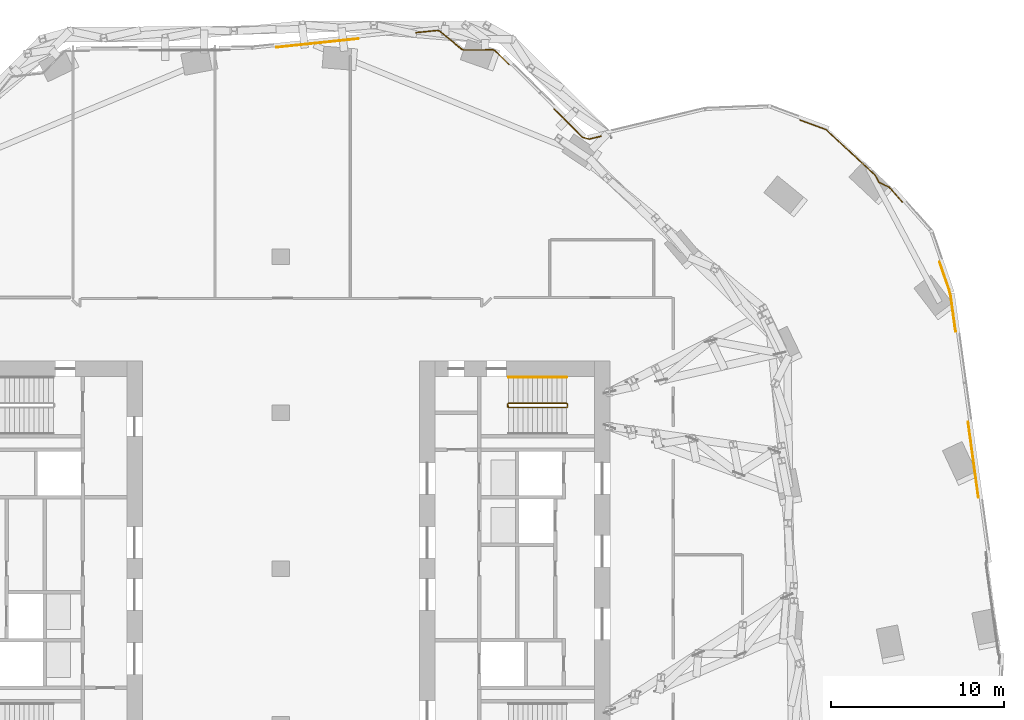
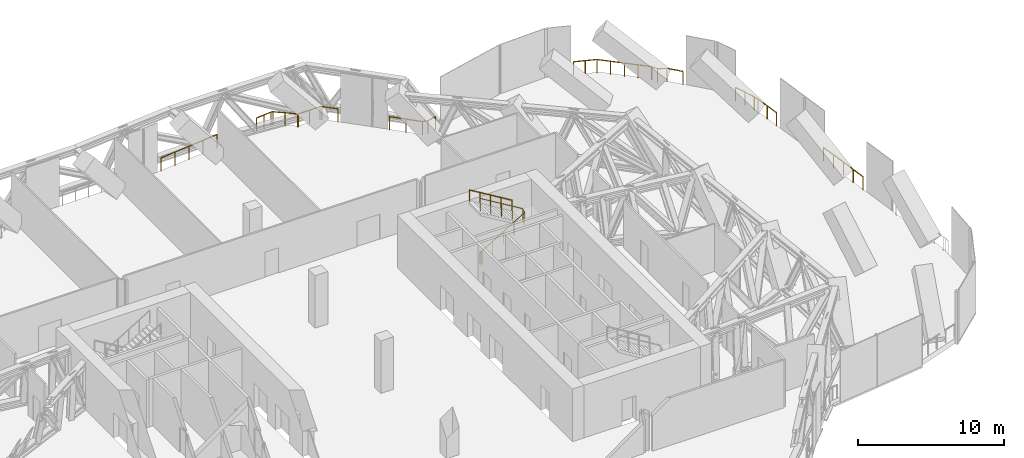
# One storey, part 26 of 27: 10 railings.
"""IFC4 building model written with IfcOpenShell, lengths in metres."""

import ifcopenshell
import ifcopenshell.guid

model = None  # the IFC model being written
_history = None  # IfcOwnerHistory: only IFC2X3 demands one
_inside = {}  # id of a spatial element -> (the spatial element, [elements in it])
_under = {}  # id of a project, library or spatial element -> (it, [spatial elements below it])
_declared = {}  # id of a project -> (the project, [libraries it declares])
_typed = {}  # id of a type object -> (the type object, [elements of that type])
_made_of = {}  # id of a material, layer set ... -> (it, [elements and type objects made of it])


def new_model(schema):
    """Start an empty IFC model of exactly this schema.

    Asked for "IFC4X3", IfcOpenShell would pick the latest addendum, in which some entities
    have other attributes; the version numbers below select the first issue.
    IFC2X3 requires an IfcOwnerHistory on every rooted entity: one is made here for all.
    """
    global model, _history
    if schema == "IFC4X3":
        model = ifcopenshell.file(schema_version=(4, 3, 0, 0))
    else:
        model = ifcopenshell.file(schema=schema)
    _inside.clear()
    _under.clear()
    _declared.clear()
    _typed.clear()
    _made_of.clear()
    _history = None
    if model.schema == "IFC2X3":
        org = make("IfcOrganization", Name="unknown")
        user = make(
            "IfcPersonAndOrganization",
            ThePerson=make("IfcPerson", FamilyName="unknown"),
            TheOrganization=org,
        )
        app = make(
            "IfcApplication",
            ApplicationDeveloper=org,
            Version="unknown",
            ApplicationFullName="unknown",
            ApplicationIdentifier="unknown",
        )
        _history = make(
            "IfcOwnerHistory",
            OwningUser=user,
            OwningApplication=app,
            ChangeAction="ADDED",
            CreationDate=0,
        )
    return model


def make(cls, **values):
    """One entity of the class cls with the attributes given. An attribute that is None is left unset."""
    return model.create_entity(
        cls, **{name: value for name, value in values.items() if value is not None}
    )


def rooted(cls, **values):
    """An entity with a GlobalId (a new one), such as an element, a storey or a relation."""
    return make(cls, GlobalId=ifcopenshell.guid.new(), OwnerHistory=_history, **values)


def si_unit(unit_type, name, prefix=None):
    """IfcSIUnit, for example si_unit("LENGTHUNIT", "METRE", prefix="MILLI")."""
    return make("IfcSIUnit", UnitType=unit_type, Prefix=prefix, Name=name)


def assignment(units):
    """IfcUnitAssignment: the units of a project."""
    return None if units is None else make("IfcUnitAssignment", Units=units)


def point(xyz):
    """IfcCartesianPoint."""
    return None if xyz is None else make("IfcCartesianPoint", Coordinates=xyz)


def direction(xyz):
    """IfcDirection."""
    return None if xyz is None else make("IfcDirection", DirectionRatios=xyz)


def frame(location, z_axis=None, x_axis=None):
    """IfcAxis2Placement3D, a coordinate frame: its origin and axes. An axis left out is left unset."""
    return make(
        "IfcAxis2Placement3D",
        Location=point(location),
        Axis=direction(z_axis),
        RefDirection=direction(x_axis),
    )


def frame_2d(location, x_axis=None):
    """IfcAxis2Placement2D, a coordinate frame in the plane: its origin and x axis."""
    return make(
        "IfcAxis2Placement2D", Location=point(location), RefDirection=direction(x_axis)
    )


def origin():
    """The frame at (0, 0, 0) with its axes left unset."""
    return frame((0.0, 0.0, 0.0))


def origin_2d():
    """The frame at (0, 0) in the plane with its x axis left unset."""
    return frame_2d((0.0, 0.0))


def place(relative_to, where):
    """IfcLocalPlacement: puts the frame where relative to a parent placement (None: the world)."""
    return make(
        "IfcLocalPlacement", PlacementRelTo=relative_to, RelativePlacement=where
    )


def context(
    kind, dimensions, precision=None, world=None, true_north=None, identifier=None
):
    """IfcGeometricRepresentationContext, for example the 3D "Model" context."""
    return make(
        "IfcGeometricRepresentationContext",
        ContextIdentifier=identifier,
        ContextType=kind,
        CoordinateSpaceDimension=dimensions,
        Precision=precision,
        WorldCoordinateSystem=world,
        TrueNorth=true_north,
    )


def subcontext(parent, identifier, kind, view, scale=None):
    """IfcGeometricRepresentationSubContext, for example "Body" below "Model"."""
    return make(
        "IfcGeometricRepresentationSubContext",
        ContextIdentifier=identifier,
        ContextType=kind,
        ParentContext=parent,
        TargetScale=scale,
        TargetView=view,
    )


def project(units=None, contexts=None):
    """IfcProject with its units and contexts."""
    return rooted(
        "IfcProject",
        Name="project",
        RepresentationContexts=contexts,
        UnitsInContext=assignment(units),
    )


def spatial(cls, under=None, at=None, **own):
    """A site, building, storey or space (cls), placed at a placement, below another one or the project."""
    s = rooted(cls, ObjectPlacement=at, **own)
    if under is not None:
        _under.setdefault(under.id(), (under, []))[1].append(s)
    return s


def profile(cls, at=None, kind="AREA", **sizes):
    """A parametric profile (cls). Its sizes go by their IFC names, for example OverallWidth=200.0."""
    return make(cls, ProfileType=kind, Position=at, **sizes)


def circle(**sizes):
    """IfcCircleProfileDef."""
    return profile("IfcCircleProfileDef", **sizes)


def extrude(swept, where, along, depth):
    """IfcExtrudedAreaSolid: the profile swept, set in the frame where, extruded along a direction by depth."""
    return make(
        "IfcExtrudedAreaSolid",
        SweptArea=swept,
        Position=where,
        ExtrudedDirection=direction(along),
        Depth=depth,
    )


def shape(context_of_items, identifier, shape_type, items):
    """IfcShapeRepresentation: the items that make up one representation, for example the "Body"."""
    return make(
        "IfcShapeRepresentation",
        ContextOfItems=context_of_items,
        RepresentationIdentifier=identifier,
        RepresentationType=shape_type,
        Items=items,
    )


def material(Name=None, Category=None):
    """IfcMaterial."""
    return make("IfcMaterial", Name=Name, Category=Category)


def made_of(thing, what):
    """Note that an element or type object is made of a material, layer set ...; save() writes the relation."""
    if what is not None:
        _made_of.setdefault(what.id(), (what, []))[1].append(thing)
    return thing


def type_object(cls, material=None, **own):
    """A type object (cls), such as IfcWallType, which elements share."""
    return made_of(rooted(cls, **own), material)


def element(
    cls,
    number,
    at=None,
    inside=None,
    cuts=None,
    type_object=None,
    material=None,
    context=None,
    identifier="Body",
    shape_type=None,
    held_by="IfcProductDefinitionShape",
    body=None,
    shapes=None,
    **own,
):
    """One element of the class cls, such as IfcWall. Its Tag is "e" and its number.

    at: its placement. inside: the storey or other place that contains it. cuts: it is an
    opening in that element (IfcRelVoidsElement). A single representation is given by context,
    identifier, shape_type and body (its items); several are given by shapes. held_by: the class
    of the entity that holds the representations. save() writes the other relations.
    """
    e = rooted(cls, Tag="e%d" % number, ObjectPlacement=at, **own)
    if body is not None:
        shapes = [shape(context, identifier, shape_type, body)]
    if shapes is not None:
        e.Representation = make(held_by, Representations=shapes)
    if inside is not None:
        _inside.setdefault(inside.id(), (inside, []))[1].append(e)
    if cuts is not None:
        rooted(
            "IfcRelVoidsElement", RelatingBuildingElement=cuts, RelatedOpeningElement=e
        )
    if type_object is not None:
        _typed.setdefault(type_object.id(), (type_object, []))[1].append(e)
    return made_of(e, material)


def aggregate(whole, parts):
    """IfcRelAggregates: a whole, such as a stair, and the parts it consists of."""
    return rooted("IfcRelAggregates", RelatingObject=whole, RelatedObjects=parts)


def save(model, path):
    """Write the relations noted so far, then the file.

    IfcRelAggregates (storeys below a building ...), IfcRelContainedInSpatialStructure (elements
    in a storey), IfcRelDefinesByType, IfcRelAssociatesMaterial and IfcRelDeclares: one each for
    every whole, place, type object, material and project.
    """
    for whole, parts in _under.values():
        aggregate(whole, parts)
    for where, things in _inside.values():
        rooted(
            "IfcRelContainedInSpatialStructure",
            RelatedElements=things,
            RelatingStructure=where,
        )
    for kind, things in _typed.values():
        rooted("IfcRelDefinesByType", RelatedObjects=things, RelatingType=kind)
    for what, things in _made_of.values():
        rooted("IfcRelAssociatesMaterial", RelatedObjects=things, RelatingMaterial=what)
    for by, libraries in _declared.values():
        rooted("IfcRelDeclares", RelatingContext=by, RelatedDefinitions=libraries)
    model.write(path)


model = new_model("IFC4")

# Units and contexts
model_context = context("Model", 3, precision=1e-05, world=origin(), true_north=direction((0.0, 1.0)))
body_context = subcontext(model_context, "Body", "Model", "MODEL_VIEW")
ifc_project = project(units=[si_unit("LENGTHUNIT", "METRE"), si_unit("AREAUNIT", "SQUARE_METRE"), si_unit("VOLUMEUNIT", "CUBIC_METRE"), si_unit("PLANEANGLEUNIT", "RADIAN"), si_unit("MASSUNIT", "GRAM", prefix="KILO")], contexts=[model_context])

# Site, building, storey
site_placement = place(None, origin())
site = spatial("IfcSite", under=ifc_project, at=site_placement, CompositionType="ELEMENT")
building_placement = place(site_placement, origin())
building = spatial("IfcBuilding", under=site, at=building_placement, Name="Orlundy Tower", CompositionType="ELEMENT")
storey_placement = place(building_placement, frame((0.0, 0.0, 206.10009765625)))
storey = spatial("IfcBuildingStorey", under=building, at=storey_placement, Name="L54", CompositionType="ELEMENT", Elevation=206.10009765625)

# Railings
ifc_material_1 = material(Name="Steel balustrade", Category="steel")
railing_type_1 = type_object("IfcRailingType", Name="Stair Guard 1100", PredefinedType="GUARDRAIL", material=ifc_material_1)
railing_1_placement = place(storey_placement, frame((13.090087890625, 9.35009765625, 0.0)))
element("IfcRailing", 1, at=railing_1_placement, inside=storey, type_object=railing_type_1, Name="L54 ST-E2 stair guard 1", PredefinedType="GUARDRAIL", context=body_context, shape_type="SweptSolid", body=[
    extrude(circle(Radius=0.02392578125, at=origin_2d()), frame((0.0, 0.0, 1.076171875), z_axis=(0.0, 1.0, 0.0), x_axis=(-1.0, 0.0, 0.0)), (0.0, 0.0, 1.0), 0.14990234375),
    extrude(circle(Radius=0.02392578125, at=origin_2d()), frame((0.0, 0.14990234375, 1.076171875), z_axis=(0.186800498525, -0.749949060256, 0.634572281755), x_axis=(0.970351222016, 0.241699205484, 0.0)), (0.0, 0.0, 1.0), 0.2666015625),
    extrude(circle(Radius=0.02392578125, at=origin_2d()), frame((0.0498046875, -0.050048828125, 1.2451171875), z_axis=(0.855836976705, 0.0, 0.517245656632), x_axis=(0.0, 1.0, 0.0)), (0.0, 0.0, 1.0), 3.926025390625),
    extrude(circle(Radius=0.02392578125, at=origin_2d()), frame((3.409912109375, -0.050048828125, 3.27587890625), z_axis=(0.707106781187, 0.707106781187, 0.0), x_axis=(-0.707106781187, 0.707106781187, 0.0)), (0.0, 0.0, 1.0), 0.07080078125),
    extrude(circle(Radius=0.02392578125, at=origin_2d()), frame((3.4599609375, 0.0, 3.27587890625), z_axis=(0.0, 1.0, 0.0), x_axis=(-1.0, 0.0, 0.0)), (0.0, 0.0, 1.0), 0.14990234375),
    extrude(circle(Radius=0.02392578125, at=origin_2d()), frame((3.4599609375, 0.14990234375, 3.27587890625), z_axis=(-0.272897288611, 0.272897288611, 0.922525956132), x_axis=(-0.707106781187, -0.707106781187, 0.0)), (0.0, 0.0, 1.0), 0.183349609375),
    extrude(circle(Radius=0.02392578125, at=origin_2d()), frame((3.409912109375, 0.199951171875, 3.4453125), z_axis=(-0.855836976705, 0.0, 0.517245656632), x_axis=(0.0, -1.0, 0.0)), (0.0, 0.0, 1.0), 3.926025390625),
    extrude(circle(Radius=0.02099609375, at=origin_2d()), origin(), (0.0, 0.0, 1.0), 1.052001953125),
    extrude(circle(Radius=0.02099609375, at=origin_2d()), frame((0.0, 0.14990234375, 0.0)), (0.0, 0.0, 1.0), 1.052001953125),
    extrude(circle(Radius=0.02099609375, at=origin_2d()), frame((0.0498046875, -0.050048828125, 0.169189453125)), (0.0, 0.0, 1.0), 1.052001953125),
    extrude(circle(Radius=0.02099609375, at=origin_2d()), frame((0.889892578125, -0.050048828125, 0.6767578125)), (0.0, 0.0, 1.0), 1.052001953125),
    extrude(circle(Radius=0.02099609375, at=origin_2d()), frame((1.72998046875, -0.050048828125, 1.1845703125)), (0.0, 0.0, 1.0), 1.052001953125),
    extrude(circle(Radius=0.02099609375, at=origin_2d()), frame((2.56982421875, -0.050048828125, 1.6923828125)), (0.0, 0.0, 1.0), 1.052001953125),
    extrude(circle(Radius=0.02099609375, at=origin_2d()), frame((3.409912109375, -0.050048828125, 2.199951171875)), (0.0, 0.0, 1.0), 1.052001953125),
    extrude(circle(Radius=0.02099609375, at=origin_2d()), frame((3.4599609375, 0.0, 2.199951171875)), (0.0, 0.0, 1.0), 1.052001953125),
    extrude(circle(Radius=0.02099609375, at=origin_2d()), frame((3.4599609375, 0.14990234375, 2.199951171875)), (0.0, 0.0, 1.0), 1.052001953125),
    extrude(circle(Radius=0.02099609375, at=origin_2d()), frame((3.409912109375, 0.199951171875, 2.369140625)), (0.0, 0.0, 1.0), 1.052001953125),
    extrude(circle(Radius=0.02099609375, at=origin_2d()), frame((2.56982421875, 0.199951171875, 2.876953125)), (0.0, 0.0, 1.0), 1.052001953125),
    extrude(circle(Radius=0.02099609375, at=origin_2d()), frame((1.72998046875, 0.199951171875, 3.384521484375)), (0.0, 0.0, 1.0), 1.052001953125),
    extrude(circle(Radius=0.02099609375, at=origin_2d()), frame((0.889892578125, 0.199951171875, 3.89208984375)), (0.0, 0.0, 1.0), 1.052001953125),
    extrude(circle(Radius=0.02099609375, at=origin_2d()), frame((0.0498046875, 0.199951171875, 4.39990234375)), (0.0, 0.0, 1.0), 1.052001953125),
])
ifc_material_2 = material(Name="Steel handrail", Category="steel")
railing_type_2 = type_object("IfcRailingType", Name="Stair Handrail 900", PredefinedType="HANDRAIL", material=ifc_material_2)
railing_2_placement = place(storey_placement, frame((16.5, 11.050048828125, 2.369140625)))
element("IfcRailing", 2, at=railing_2_placement, inside=storey, type_object=railing_type_2, Name="L54 ST-E2 stair handrail 2", PredefinedType="HANDRAIL", context=body_context, shape_type="SweptSolid", body=[
    extrude(circle(Radius=0.02392578125, at=origin_2d()), frame((0.0, 0.0, 0.8759765625), z_axis=(-0.855836976705, 0.0, 0.517245656632), x_axis=(0.0, -1.0, 0.0)), (0.0, 0.0, 1.0), 3.926025390625),
    extrude(circle(Radius=0.02099609375, at=origin_2d()), origin(), (0.0, 0.0, 1.0), 0.851806640625),
    extrude(circle(Radius=0.02099609375, at=origin_2d()), frame((-0.840087890625, 0.0, 0.5078125)), (0.0, 0.0, 1.0), 0.851806640625),
    extrude(circle(Radius=0.02099609375, at=origin_2d()), frame((-1.68017578125, 0.0, 1.015380859375)), (0.0, 0.0, 1.0), 0.851806640625),
    extrude(circle(Radius=0.02099609375, at=origin_2d()), frame((-2.52001953125, 0.0, 1.52294921875)), (0.0, 0.0, 1.0), 0.851806640625),
    extrude(circle(Radius=0.02099609375, at=origin_2d()), frame((-3.360107421875, 0.0, 2.03076171875)), (0.0, 0.0, 1.0), 0.851806640625),
])
ifc_material_3 = material(Name="Stainless steel bronze finish", Category="steel")
railing_type_3 = type_object("IfcRailingType", Name="TG1 terrace guard", PredefinedType="GUARDRAIL", material=ifc_material_3)
railing_3_placement = place(storey_placement, frame((7.794921875, 30.94482421875, 0.0)))
element("IfcRailing", 3, at=railing_3_placement, inside=storey, type_object=railing_type_3, Name="Guard TG-L54-E06", PredefinedType="GUARDRAIL", context=body_context, shape_type="SweptSolid", body=[
    extrude(circle(Radius=0.02490234375, at=origin_2d()), frame((0.0, 0.0, 1.09521484375), z_axis=(0.994533485115, 0.104418135323, 0.0), x_axis=(-0.104418135323, 0.994533485115, 0.0)), (0.0, 0.0, 1.0), 1.2392578125),
    extrude(circle(Radius=0.02490234375, at=origin_2d()), frame((1.232421875, 0.12939453125, 1.09521484375), z_axis=(0.964809431391, -0.262950111424, 0.0), x_axis=(0.262950111424, 0.964809431391, 0.0)), (0.0, 0.0, 1.0), 0.12353515625),
    extrude(circle(Radius=0.02490234375, at=origin_2d()), frame((1.3515625, 0.096923828125, 1.09521484375), z_axis=(0.777124807293, -0.629346513369, 0.0), x_axis=(0.629346513369, 0.777124807293, 0.0)), (0.0, 0.0, 1.0), 1.704833984375),
    extrude(circle(Radius=0.02490234375, at=origin_2d()), frame((2.676513671875, -0.97607421875, 1.09521484375), z_axis=(0.943101890251, -0.332503871563, 0.0), x_axis=(0.332503871563, 0.943101890251, 0.0)), (0.0, 0.0, 1.0), 0.080810546875),
    extrude(circle(Radius=0.02490234375, at=origin_2d()), frame((2.752685546875, -1.0029296875, 1.09521484375), z_axis=(0.9999827687, 0.005870460126, 0.0), x_axis=(-0.005870460126, 0.9999827687, 0.0)), (0.0, 0.0, 1.0), 1.705078125),
    extrude(circle(Radius=0.02490234375, at=origin_2d()), frame((4.457763671875, -0.992919921875, 1.09521484375), z_axis=(0.918633337359, -0.395111112843, 0.0), x_axis=(0.395111112843, 0.918633337359, 0.0)), (0.0, 0.0, 1.0), 0.12353515625),
    extrude(circle(Radius=0.02490234375, at=origin_2d()), frame((4.5712890625, -1.041748046875, 1.09521484375), z_axis=(0.711107441757, -0.703083356565, 0.0), x_axis=(0.703083356565, 0.711107441757, 0.0)), (0.0, 0.0, 1.0), 1.125732421875),
    extrude(circle(Radius=0.02001953125, at=origin_2d()), origin(), (0.0, 0.0, 1.0), 1.070068359375),
    extrude(circle(Radius=0.02001953125, at=origin_2d()), frame((0.6162109375, 0.064697265625, 0.0)), (0.0, 0.0, 1.0), 1.070068359375),
    extrude(circle(Radius=0.02001953125, at=origin_2d()), frame((1.232421875, 0.12939453125, 0.0)), (0.0, 0.0, 1.0), 1.070068359375),
    extrude(circle(Radius=0.02001953125, at=origin_2d()), frame((1.3515625, 0.096923828125, 0.0)), (0.0, 0.0, 1.0), 1.070068359375),
    extrude(circle(Radius=0.02001953125, at=origin_2d()), frame((2.01416015625, -0.439453125, 0.0)), (0.0, 0.0, 1.0), 1.070068359375),
    extrude(circle(Radius=0.02001953125, at=origin_2d()), frame((2.676513671875, -0.97607421875, 0.0)), (0.0, 0.0, 1.0), 1.070068359375),
    extrude(circle(Radius=0.02001953125, at=origin_2d()), frame((2.752685546875, -1.0029296875, 0.0)), (0.0, 0.0, 1.0), 1.070068359375),
    extrude(circle(Radius=0.02001953125, at=origin_2d()), frame((3.605224609375, -0.998046875, 0.0)), (0.0, 0.0, 1.0), 1.070068359375),
    extrude(circle(Radius=0.02001953125, at=origin_2d()), frame((4.457763671875, -0.992919921875, 0.0)), (0.0, 0.0, 1.0), 1.070068359375),
    extrude(circle(Radius=0.02001953125, at=origin_2d()), frame((4.5712890625, -1.041748046875, 0.0)), (0.0, 0.0, 1.0), 1.070068359375),
    extrude(circle(Radius=0.02001953125, at=origin_2d()), frame((5.371826171875, -1.833251953125, 0.0)), (0.0, 0.0, 1.0), 1.070068359375),
])
railing_4_placement = place(storey_placement, frame((29.9638671875, 25.90478515625, 0.0)))
element("IfcRailing", 4, at=railing_4_placement, inside=storey, type_object=railing_type_3, Name="Guard TG-L54-E09", PredefinedType="GUARDRAIL", context=body_context, shape_type="SweptSolid", body=[
    extrude(circle(Radius=0.02490234375, at=origin_2d()), frame((0.0, 0.0, 1.09521484375), z_axis=(0.938224597164, -0.346026885192, 0.0), x_axis=(0.346026885192, 0.938224597164, 0.0)), (0.0, 0.0, 1.0), 1.61865234375),
    extrude(circle(Radius=0.02490234375, at=origin_2d()), frame((1.5185546875, -0.56005859375, 1.09521484375), z_axis=(0.733192892354, -0.680020722185, 0.0), x_axis=(0.680020722185, 0.733192892354, 0.0)), (0.0, 0.0, 1.0), 3.852294921875),
    extrude(circle(Radius=0.02001953125, at=origin_2d()), origin(), (0.0, 0.0, 1.0), 1.070068359375),
    extrude(circle(Radius=0.02001953125, at=origin_2d()), frame((0.75927734375, -0.280029296875, 0.0)), (0.0, 0.0, 1.0), 1.070068359375),
    extrude(circle(Radius=0.02001953125, at=origin_2d()), frame((1.5185546875, -0.56005859375, 0.0)), (0.0, 0.0, 1.0), 1.070068359375),
    extrude(circle(Radius=0.02001953125, at=origin_2d()), frame((2.224609375, -1.21484375, 0.0)), (0.0, 0.0, 1.0), 1.070068359375),
    extrude(circle(Radius=0.02001953125, at=origin_2d()), frame((2.9306640625, -1.869873046875, 0.0)), (0.0, 0.0, 1.0), 1.070068359375),
    extrude(circle(Radius=0.02001953125, at=origin_2d()), frame((3.636962890625, -2.52490234375, 0.0)), (0.0, 0.0, 1.0), 1.070068359375),
    extrude(circle(Radius=0.02001953125, at=origin_2d()), frame((4.343017578125, -3.1796875, 0.0)), (0.0, 0.0, 1.0), 1.070068359375),
])
railing_5_placement = place(storey_placement, frame((-0.260986328125, 30.09814453125, 0.0)))
element("IfcRailing", 5, at=railing_5_placement, inside=storey, type_object=railing_type_3, Name="Guard TG-L54-E014", PredefinedType="GUARDRAIL", context=body_context, shape_type="SweptSolid", body=[
    extrude(circle(Radius=0.02490234375, at=origin_2d()), frame((0.0, 0.0, 1.09521484375), z_axis=(0.994521757355, 0.104529776365, 0.0), x_axis=(-0.104529776365, 0.994521757355, 0.0)), (0.0, 0.0, 1.0), 4.75537109375),
    extrude(circle(Radius=0.02001953125, at=origin_2d()), origin(), (0.0, 0.0, 1.0), 1.070068359375),
    extrude(circle(Radius=0.02001953125, at=origin_2d()), frame((1.182373046875, 0.124267578125, 0.0)), (0.0, 0.0, 1.0), 1.070068359375),
    extrude(circle(Radius=0.02001953125, at=origin_2d()), frame((2.36474609375, 0.24853515625, 0.0)), (0.0, 0.0, 1.0), 1.070068359375),
    extrude(circle(Radius=0.02001953125, at=origin_2d()), frame((3.546875, 0.372802734375, 0.0)), (0.0, 0.0, 1.0), 1.070068359375),
    extrude(circle(Radius=0.02001953125, at=origin_2d()), frame((4.729248046875, 0.4970703125, 0.0)), (0.0, 0.0, 1.0), 1.070068359375),
])
railing_6_placement = place(storey_placement, frame((39.67578125, 8.469970703125, 0.0)))
element("IfcRailing", 6, at=railing_6_placement, inside=storey, type_object=railing_type_3, Name="Guard TG-L54-E017", PredefinedType="GUARDRAIL", context=body_context, shape_type="SweptSolid", body=[
    extrude(circle(Radius=0.02490234375, at=origin_2d()), frame((0.0, 0.0, 1.09521484375), z_axis=(0.136296443485, -0.990668097545, 0.0), x_axis=(0.990668097545, 0.136296443485, 0.0)), (0.0, 0.0, 1.0), 4.41015625),
    extrude(circle(Radius=0.02001953125, at=origin_2d()), origin(), (0.0, 0.0, 1.0), 1.070068359375),
    extrude(circle(Radius=0.02001953125, at=origin_2d()), frame((0.150390625, -1.09228515625, 0.0)), (0.0, 0.0, 1.0), 1.070068359375),
    extrude(circle(Radius=0.02001953125, at=origin_2d()), frame((0.300537109375, -2.1845703125, 0.0)), (0.0, 0.0, 1.0), 1.070068359375),
    extrude(circle(Radius=0.02001953125, at=origin_2d()), frame((0.45068359375, -3.276611328125, 0.0)), (0.0, 0.0, 1.0), 1.070068359375),
    extrude(circle(Radius=0.02001953125, at=origin_2d()), frame((0.60107421875, -4.368896484375, 0.0)), (0.0, 0.0, 1.0), 1.070068359375),
])
railing_7_placement = place(storey_placement, frame((38.031494140625, 17.705810546875, 0.0)))
element("IfcRailing", 7, at=railing_7_placement, inside=storey, type_object=railing_type_3, Name="Guard TG-L54-E018", PredefinedType="GUARDRAIL", context=body_context, shape_type="SweptSolid", body=[
    extrude(circle(Radius=0.02490234375, at=origin_2d()), frame((0.0, 0.0, 1.09521484375), z_axis=(0.327011996174, -0.945020187276, 0.0), x_axis=(0.945020187276, 0.327011996174, 0.0)), (0.0, 0.0, 1.0), 1.701416015625),
    extrude(circle(Radius=0.02490234375, at=origin_2d()), frame((0.556396484375, -1.60791015625, 1.09521484375), z_axis=(0.232804846558, -0.972523471912, 0.0), x_axis=(0.972523471912, 0.232804846558, 0.0)), (0.0, 0.0, 1.0), 0.39013671875),
    extrude(circle(Radius=0.02490234375, at=origin_2d()), frame((0.647216796875, -1.9873046875, 1.09521484375), z_axis=(0.136256531656, -0.990673587808, 0.0), x_axis=(0.990673587808, 0.136256531656, 0.0)), (0.0, 0.0, 1.0), 2.0390625),
    extrude(circle(Radius=0.02001953125, at=origin_2d()), origin(), (0.0, 0.0, 1.0), 1.070068359375),
    extrude(circle(Radius=0.02001953125, at=origin_2d()), frame((0.2783203125, -0.803955078125, 0.0)), (0.0, 0.0, 1.0), 1.070068359375),
    extrude(circle(Radius=0.02001953125, at=origin_2d()), frame((0.556396484375, -1.60791015625, 0.0)), (0.0, 0.0, 1.0), 1.070068359375),
    extrude(circle(Radius=0.02001953125, at=origin_2d()), frame((0.647216796875, -1.9873046875, 0.0)), (0.0, 0.0, 1.0), 1.070068359375),
    extrude(circle(Radius=0.02001953125, at=origin_2d()), frame((0.7861328125, -2.997314453125, 0.0)), (0.0, 0.0, 1.0), 1.070068359375),
    extrude(circle(Radius=0.02001953125, at=origin_2d()), frame((0.925048828125, -4.00732421875, 0.0)), (0.0, 0.0, 1.0), 1.070068359375),
])
railing_8_placement = place(storey_placement, frame((15.761962890625, 26.54638671875, 0.0)))
element("IfcRailing", 8, at=railing_8_placement, inside=storey, type_object=railing_type_3, Name="Guard TG-L54-E023", PredefinedType="GUARDRAIL", context=body_context, shape_type="SweptSolid", body=[
    extrude(circle(Radius=0.02490234375, at=origin_2d()), frame((0.0, 0.0, 1.09521484375), z_axis=(0.71122245696, -0.702967009693, 0.0), x_axis=(0.702967009693, 0.71122245696, 0.0)), (0.0, 0.0, 1.0), 2.336181640625),
    extrude(circle(Radius=0.02490234375, at=origin_2d()), frame((1.66162109375, -1.642333984375, 1.09521484375), z_axis=(0.963328610759, -0.268324407563, 0.0), x_axis=(0.268324407563, 0.963328610759, 0.0)), (0.0, 0.0, 1.0), 0.388427734375),
    extrude(circle(Radius=0.02490234375, at=origin_2d()), frame((2.035888671875, -1.74658203125, 1.09521484375), z_axis=(0.972352850745, 0.233516452627, 0.0), x_axis=(-0.233516452627, 0.972352850745, 0.0)), (0.0, 0.0, 1.0), 0.707763671875),
    extrude(circle(Radius=0.02001953125, at=origin_2d()), origin(), (0.0, 0.0, 1.0), 1.070068359375),
    extrude(circle(Radius=0.02001953125, at=origin_2d()), frame((0.830810546875, -0.8212890625, 0.0)), (0.0, 0.0, 1.0), 1.070068359375),
    extrude(circle(Radius=0.02001953125, at=origin_2d()), frame((1.66162109375, -1.642333984375, 0.0)), (0.0, 0.0, 1.0), 1.070068359375),
    extrude(circle(Radius=0.02001953125, at=origin_2d()), frame((2.035888671875, -1.74658203125, 0.0)), (0.0, 0.0, 1.0), 1.070068359375),
    extrude(circle(Radius=0.02001953125, at=origin_2d()), frame((2.72412109375, -1.581298828125, 0.0)), (0.0, 0.0, 1.0), 1.070068359375),
])
railing_9_placement = place(storey_placement, frame((34.532470703125, 22.300048828125, 0.0)))
element("IfcRailing", 9, at=railing_9_placement, inside=storey, type_object=railing_type_3, Name="Guard TG-L54-E030", PredefinedType="GUARDRAIL", context=body_context, shape_type="SweptSolid", body=[
    extrude(circle(Radius=0.02490234375, at=origin_2d()), frame((0.0, 0.0, 1.09521484375), z_axis=(0.903806439418, -0.427941491406, 0.0), x_axis=(0.427941491406, 0.903806439418, 0.0)), (0.0, 0.0, 1.0), 0.652099609375),
    extrude(circle(Radius=0.02490234375, at=origin_2d()), frame((0.58935546875, -0.279052734375, 1.09521484375), z_axis=(0.663707984761, -0.747991785359, 0.0), x_axis=(0.747991785359, 0.663707984761, 0.0)), (0.0, 0.0, 1.0), 1.132568359375),
    extrude(circle(Radius=0.02001953125, at=origin_2d()), origin(), (0.0, 0.0, 1.0), 1.070068359375),
    extrude(circle(Radius=0.02001953125, at=origin_2d()), frame((0.58935546875, -0.279052734375, 0.0)), (0.0, 0.0, 1.0), 1.070068359375),
    extrude(circle(Radius=0.02001953125, at=origin_2d()), frame((1.341064453125, -1.126220703125, 0.0)), (0.0, 0.0, 1.0), 1.070068359375),
])
railing_10_placement = place(storey_placement, frame((34.324462890625, 22.708984375, 0.0)))
element("IfcRailing", 10, at=railing_10_placement, inside=storey, type_object=railing_type_3, Name="Guard TG-L54-E031", PredefinedType="GUARDRAIL", context=body_context, shape_type="SweptSolid", body=[
    extrude(circle(Radius=0.02490234375, at=origin_2d()), frame((0.0, 0.0, 1.09521484375), z_axis=(0.453375665739, -0.891319530649, 0.0), x_axis=(0.891319530649, 0.453375665739, 0.0)), (0.0, 0.0, 1.0), 0.458740234375),
    extrude(circle(Radius=0.02001953125, at=origin_2d()), origin(), (0.0, 0.0, 1.0), 1.070068359375),
    extrude(circle(Radius=0.02001953125, at=origin_2d()), frame((0.2080078125, -0.408935546875, 0.0)), (0.0, 0.0, 1.0), 1.070068359375),
])

save(model, "model.ifc")
